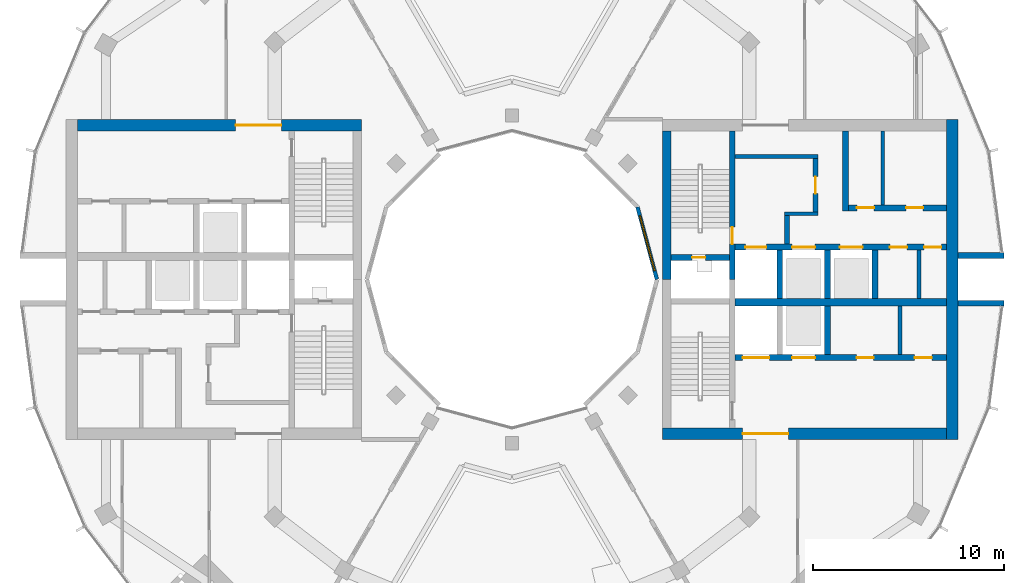
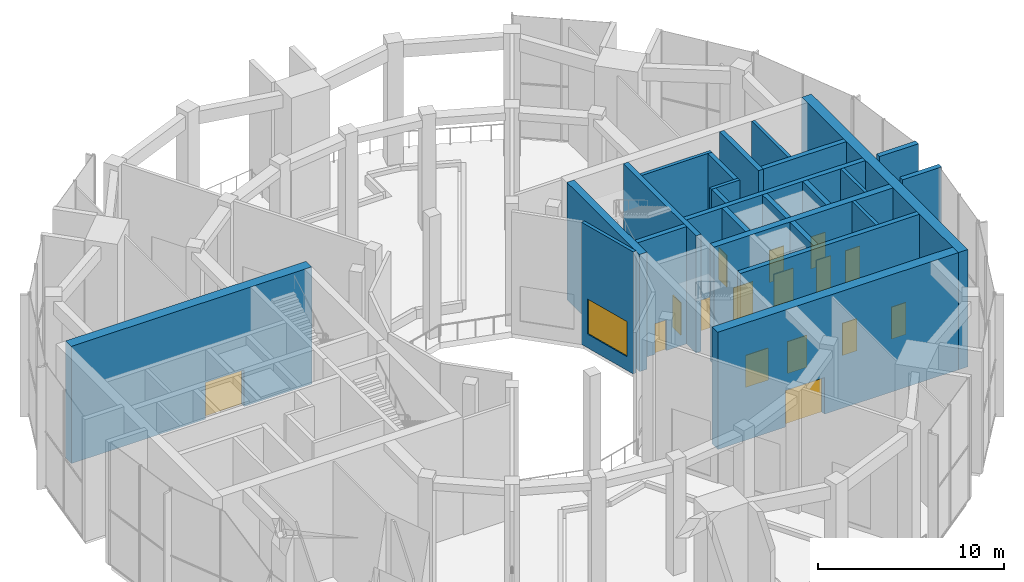
# One storey, part 13 of 18: 25 walls, 16 doors, 1 window, 17 openings.
"""IFC4 building model written with IfcOpenShell, lengths in metres."""

from ifc_helpers import new_model, si_unit, direction, frame, frame_2d, origin, place, context, subcontext, project, spatial, rectangle, extrude, material, layer, layer_set, type_object, element, fill, save


model = new_model("IFC4")

# Units and contexts
model_context = context("Model", 3, precision=1e-05, world=origin(), true_north=direction((0.0, 1.0)))
body_context = subcontext(model_context, "Body", "Model", "MODEL_VIEW")
ifc_project = project(units=[si_unit("LENGTHUNIT", "METRE"), si_unit("AREAUNIT", "SQUARE_METRE"), si_unit("VOLUMEUNIT", "CUBIC_METRE"), si_unit("PLANEANGLEUNIT", "RADIAN"), si_unit("MASSUNIT", "GRAM", prefix="KILO")], contexts=[model_context])

# Site, building, storey
site_placement = place(None, origin())
site = spatial("IfcSite", under=ifc_project, at=site_placement, CompositionType="ELEMENT")
building_placement = place(site_placement, origin())
building = spatial("IfcBuilding", under=site, at=building_placement, Name="Torre Brocal", CompositionType="ELEMENT")
storey_placement = place(building_placement, frame((0.0, 0.0, 229.300048828125)))
storey = spatial("IfcBuildingStorey", under=building, at=storey_placement, Name="L53", CompositionType="ELEMENT", Elevation=229.300048828125)

# Walls
ifc_material_1 = material(Name="Masonry block", Category="masonry")
ifc_layer_1 = layer(ifc_material_1, 0.199951171875)
ifc_layer_set_1 = layer_set([ifc_layer_1], Name="Masonry block")
wall_type_1 = type_object("IfcWallType", Name="CORE PARTITION 200", PredefinedType="PARTITIONING", material=ifc_layer_set_1)
for number, where, z_axis, x_axis, name in (
    (1, (101.360107421875, 74.0, 0.0), (0.0, 0.0, 1.0), (0.0, 1.0, 0.0), "Wall CP200"),
    (2, (100.360107421875, 71.050048828125, 0.0), (0.0, 0.0, 1.0), (0.0, 1.0, 0.0), "Wall CP200"),
):
    element("IfcWall", number, at=place(storey_placement, frame(where, z_axis=z_axis, x_axis=x_axis)), inside=storey, type_object=wall_type_1, Name=name, PredefinedType="PARTITIONING", context=body_context, shape_type="SweptSolid", body=[
        extrude(rectangle(XDim=2.550048828125, YDim=0.199951171875, at=frame_2d((1.27490234375, 0.0))), origin(), (0.0, 0.0, 1.0), 7.679931640625),
    ])
wall_1_placement = place(storey_placement, frame((99.452392578125, 78.89990234375, 0.0), z_axis=(0.0, 0.0, 1.0), x_axis=(0.0, 1.0, 0.0)))
element("IfcWall", 3, at=wall_1_placement, inside=storey, type_object=wall_type_1, Name="Wall CP200", PredefinedType="PARTITIONING", context=body_context, shape_type="SweptSolid", body=[
    extrude(rectangle(XDim=3.900146484375, YDim=0.199951171875, at=frame_2d((1.9501953125, 0.0))), origin(), (0.0, 0.0, 1.0), 7.679931640625),
])
ifc_material_2 = material(Name="Concrete C60", Category="concrete")
ifc_layer_2 = layer(ifc_material_2, 0.199951171875)
ifc_layer_set_2 = layer_set([ifc_layer_2], Name="Concrete C60")
wall_type_2 = type_object("IfcWallType", Name="CORE WALL 200 C60", PredefinedType="SHEAR", material=ifc_layer_set_2)
wall_2_placement = place(storey_placement, frame((91.699951171875, 81.449951171875, 0.0), z_axis=(0.0, 0.0, 1.0), x_axis=(1.0, 0.0, 0.0)))
element("IfcWall", 4, at=wall_2_placement, inside=storey, type_object=wall_type_2, Name="Wall CW200-60", PredefinedType="SHEAR", context=body_context, shape_type="SweptSolid", body=[
    extrude(rectangle(XDim=4.35009765625, YDim=0.199951171875, at=frame_2d((2.175048828125, 0.0))), origin(), (0.0, 0.0, 1.0), 7.679931640625),
])
wall_3_placement = place(storey_placement, frame((94.300048828125, 78.449951171875, 0.0), z_axis=(0.0, 0.0, 1.0), x_axis=(1.0, 0.0, 0.0)))
element("IfcWall", 5, at=wall_3_placement, inside=storey, type_object=wall_type_2, Name="Wall CW200-60", PredefinedType="SHEAR", context=body_context, shape_type="SweptSolid", body=[
    extrude(rectangle(XDim=1.75, YDim=0.199951171875, at=frame_2d((0.875, 0.0))), origin(), (0.0, 0.0, 1.0), 7.679931640625),
])

# Wall, opening, door
ifc_material_3 = material(Name="Concrete C60", Category="concrete")
ifc_layer_3 = layer(ifc_material_3, 0.25)
ifc_layer_set_3 = layer_set([ifc_layer_3], Name="Concrete C60")
wall_type_3 = type_object("IfcWallType", Name="CORE WALL 250 C60", PredefinedType="SHEAR", material=ifc_layer_set_3)
wall_4_placement = place(storey_placement, frame((95.925048828125, 78.550048828125, 0.0), z_axis=(0.0, 0.0, 1.0), x_axis=(0.0, 1.0, 0.0)))
wall_4 = element("IfcWall", 6, at=wall_4_placement, inside=storey, type_object=wall_type_3, Name="Wall CW250-60", PredefinedType="SHEAR", context=body_context, shape_type="SweptSolid", body=[
    extrude(rectangle(XDim=2.800048828125, YDim=0.25, at=frame_2d((1.39990234375, 0.0))), origin(), (0.0, 0.0, 1.0), 7.679931640625),
])
opening_1_placement = place(wall_4_placement, frame((0.949951171875, 0.0, 0.0)))
opening_1 = element("IfcOpeningElement", 7, at=opening_1_placement, cuts=wall_4, Name="Opening E-D08", PredefinedType="OPENING", context=body_context, shape_type="SweptSolid", body=[
    extrude(rectangle(XDim=0.89990234375, YDim=2.10009765625, at=frame_2d((0.449951171875, 1.050048828125))), frame((0.0, 0.135009765625, 0.0), z_axis=(0.0, -1.0, 0.0), x_axis=(1.0, 0.0, 0.0)), (0.0, 0.0, 1.0), 0.27001953125),
])
ifc_material_4 = material(Name="Steel A653", Category="steel")
door_type_1 = type_object("IfcDoorType", Name="LOBBY DOOR FD120 900X2100", OperationType="SINGLE_SWING_RIGHT", PredefinedType="DOOR", material=ifc_material_4)
door_1_placement = place(opening_1_placement, origin())
door_1 = element("IfcDoor", 8, at=door_1_placement, inside=storey, type_object=door_type_1, Name="Door E-D08", OperationType="SINGLE_SWING_LEFT", OverallHeight=2.10009765625, OverallWidth=0.89990234375, PredefinedType="DOOR", context=body_context, shape_type="SweptSolid", body=[
    extrude(rectangle(XDim=0.89990234375, YDim=2.10009765625, at=frame_2d((0.449951171875, 1.050048828125))), frame((0.0, 0.02490234375, 0.0), z_axis=(0.0, -1.0, 0.0), x_axis=(1.0, 0.0, 0.0)), (0.0, 0.0, 1.0), 0.050048828125),
])
fill(opening_1, door_1)

# Wall
wall_5_placement = place(storey_placement, frame((94.425048828125, 76.85009765625, 0.0), z_axis=(0.0, 0.0, 1.0), x_axis=(0.0, 1.0, 0.0)))
element("IfcWall", 9, at=wall_5_placement, inside=storey, type_object=wall_type_3, Name="Wall CW250-60", PredefinedType="SHEAR", context=body_context, shape_type="SweptSolid", body=[
    extrude(rectangle(XDim=1.5, YDim=0.25, at=frame_2d((0.75, 0.0))), origin(), (0.0, 0.0, 1.0), 7.679931640625),
])

# Wall, opening, door
ifc_material_5 = material(Name="Concrete C60", Category="concrete")
ifc_layer_4 = layer(ifc_material_5, 0.300048828125)
ifc_layer_set_4 = layer_set([ifc_layer_4], Name="Concrete C60")
wall_type_4 = type_object("IfcWallType", Name="CORE WALL 300 C60", PredefinedType="SHEAR", material=ifc_layer_set_4)
wall_6_placement = place(storey_placement, frame((91.550048828125, 75.0, 0.0), z_axis=(0.0, 0.0, 1.0), x_axis=(0.0, 1.0, 0.0)))
wall_6 = element("IfcWall", 10, at=wall_6_placement, inside=storey, type_object=wall_type_4, Name="Wall CW300-60", PredefinedType="SHEAR", context=body_context, shape_type="SweptSolid", body=[
    extrude(rectangle(XDim=7.800048828125, YDim=0.300048828125, at=frame_2d((3.89990234375, 0.0))), origin(), (0.0, 0.0, 1.0), 7.679931640625),
])
opening_2_placement = place(wall_6_placement, frame((1.85009765625, 0.0, 0.0)))
opening_2 = element("IfcOpeningElement", 11, at=opening_2_placement, cuts=wall_6, Name="Opening E-D02", PredefinedType="OPENING", context=body_context, shape_type="SweptSolid", body=[
    extrude(rectangle(XDim=0.89990234375, YDim=2.10009765625, at=frame_2d((0.449951171875, 1.050048828125))), frame((0.0, 0.159912109375, 0.0), z_axis=(0.0, -1.0, 0.0), x_axis=(1.0, 0.0, 0.0)), (0.0, 0.0, 1.0), 0.320068359375),
])
ifc_material_6 = material(Name="Steel A653", Category="steel")
door_type_2 = type_object("IfcDoorType", Name="STAIR DOOR FD120 900X2100", OperationType="SINGLE_SWING_RIGHT", PredefinedType="DOOR", material=ifc_material_6)
door_2_placement = place(opening_2_placement, origin())
door_2 = element("IfcDoor", 12, at=door_2_placement, inside=storey, type_object=door_type_2, Name="Door E-D02", OperationType="SINGLE_SWING_LEFT", OverallHeight=2.10009765625, OverallWidth=0.89990234375, PredefinedType="DOOR", context=body_context, shape_type="SweptSolid", body=[
    extrude(rectangle(XDim=0.89990234375, YDim=2.10009765625, at=frame_2d((0.449951171875, 1.050048828125))), frame((0.0, 0.02490234375, 0.0), z_axis=(0.0, -1.0, 0.0), x_axis=(1.0, 0.0, 0.0)), (0.0, 0.0, 1.0), 0.050048828125),
])
fill(opening_2, door_2)

wall_7_placement = place(storey_placement, frame((88.35009765625, 76.14990234375, 0.0), z_axis=(0.0, 0.0, 1.0), x_axis=(1.0, 0.0, 0.0)))
wall_7 = element("IfcWall", 13, at=wall_7_placement, inside=storey, type_object=wall_type_4, Name="Wall CW300-60", PredefinedType="SHEAR", context=body_context, shape_type="SweptSolid", body=[
    extrude(rectangle(XDim=3.0498046875, YDim=0.300048828125, at=frame_2d((1.52490234375, 0.0))), origin(), (0.0, 0.0, 1.0), 7.679931640625),
])
opening_3_placement = place(wall_7_placement, frame((1.10009765625, 0.0, 0.0)))
opening_3 = element("IfcOpeningElement", 14, at=opening_3_placement, cuts=wall_7, Name="Opening E-D01", PredefinedType="OPENING", context=body_context, shape_type="SweptSolid", body=[
    extrude(rectangle(XDim=0.699951171875, YDim=2.0, at=frame_2d((0.35009765625, 1.0))), frame((0.0, 0.159912109375, 0.0), z_axis=(0.0, -1.0, 0.0), x_axis=(1.0, 0.0, 0.0)), (0.0, 0.0, 1.0), 0.320068359375),
])
ifc_material_7 = material(Name="Steel A653", Category="steel")
door_type_3 = type_object("IfcDoorType", Name="RISER DOOR FD120 700X2000", OperationType="SINGLE_SWING_LEFT", PredefinedType="DOOR", material=ifc_material_7)
door_3_placement = place(opening_3_placement, frame((0.699951171875, 0.0, 0.0), z_axis=(0.0, 0.0, 1.0), x_axis=(-1.0, 0.0, 0.0)))
door_3 = element("IfcDoor", 15, at=door_3_placement, inside=storey, type_object=door_type_3, Name="Door E-D01", OperationType="SINGLE_SWING_RIGHT", OverallHeight=2.0, OverallWidth=0.699951171875, PredefinedType="DOOR", context=body_context, shape_type="SweptSolid", body=[
    extrude(rectangle(XDim=0.699951171875, YDim=2.0, at=frame_2d((0.35009765625, 1.0))), frame((0.0, 0.02490234375, 0.0), z_axis=(0.0, -1.0, 0.0), x_axis=(1.0, 0.0, 0.0)), (0.0, 0.0, 1.0), 0.050048828125),
])
fill(opening_3, door_3)

# Wall, openings, doors
wall_8_placement = place(storey_placement, frame((91.699951171875, 76.699951171875, 0.0), z_axis=(0.0, 0.0, 1.0), x_axis=(1.0, 0.0, 0.0)))
wall_8 = element("IfcWall", 16, at=wall_8_placement, inside=storey, type_object=wall_type_4, Name="Wall CW300-60", PredefinedType="SHEAR", context=body_context, shape_type="SweptSolid", body=[
    extrude(rectangle(XDim=11.10009765625, YDim=0.300048828125, at=frame_2d((5.550048828125, 0.0))), origin(), (0.0, 0.0, 1.0), 7.679931640625),
])
opening_4_placement = place(wall_8_placement, frame((0.550048828125, 0.0, 0.0)))
opening_4 = element("IfcOpeningElement", 17, at=opening_4_placement, cuts=wall_8, Name="Opening LD", PredefinedType="OPENING", context=body_context, shape_type="SweptSolid", body=[
    extrude(rectangle(XDim=1.10009765625, YDim=2.10009765625, at=frame_2d((0.550048828125, 1.050048828125))), frame((0.0, 0.159912109375, 0.0), z_axis=(0.0, -1.0, 0.0), x_axis=(1.0, 0.0, 0.0)), (0.0, 0.0, 1.0), 0.320068359375),
])
opening_5_placement = place(wall_8_placement, frame((3.0, 0.0, 0.0)))
opening_5 = element("IfcOpeningElement", 18, at=opening_5_placement, cuts=wall_8, Name="Opening LD12", PredefinedType="OPENING", context=body_context, shape_type="SweptSolid", body=[
    extrude(rectangle(XDim=1.199951171875, YDim=2.10009765625, at=frame_2d((0.60009765625, 1.050048828125))), frame((0.0, 0.159912109375, 0.0), z_axis=(0.0, -1.0, 0.0), x_axis=(1.0, 0.0, 0.0)), (0.0, 0.0, 1.0), 0.320068359375),
])
opening_6_placement = place(wall_8_placement, frame((5.5, 0.0, 0.0)))
opening_6 = element("IfcOpeningElement", 19, at=opening_6_placement, cuts=wall_8, Name="Opening LD12", PredefinedType="OPENING", context=body_context, shape_type="SweptSolid", body=[
    extrude(rectangle(XDim=1.199951171875, YDim=2.10009765625, at=frame_2d((0.60009765625, 1.050048828125))), frame((0.0, 0.159912109375, 0.0), z_axis=(0.0, -1.0, 0.0), x_axis=(1.0, 0.0, 0.0)), (0.0, 0.0, 1.0), 0.320068359375),
])
opening_7_placement = place(wall_8_placement, frame((8.1298828125, 0.0, 0.0)))
opening_7 = element("IfcOpeningElement", 20, at=opening_7_placement, cuts=wall_8, Name="Opening E-D04", PredefinedType="OPENING", context=body_context, shape_type="SweptSolid", body=[
    extrude(rectangle(XDim=0.89990234375, YDim=2.10009765625, at=frame_2d((0.449951171875, 1.050048828125))), frame((0.0, 0.159912109375, 0.0), z_axis=(0.0, -1.0, 0.0), x_axis=(1.0, 0.0, 0.0)), (0.0, 0.0, 1.0), 0.320068359375),
])
opening_8_placement = place(wall_8_placement, frame((9.929931640625, 0.0, 0.0)))
opening_8 = element("IfcOpeningElement", 21, at=opening_8_placement, cuts=wall_8, Name="Opening E-D05", PredefinedType="OPENING", context=body_context, shape_type="SweptSolid", body=[
    extrude(rectangle(XDim=0.89990234375, YDim=2.10009765625, at=frame_2d((0.449951171875, 1.050048828125))), frame((0.0, 0.159912109375, 0.0), z_axis=(0.0, -1.0, 0.0), x_axis=(1.0, 0.0, 0.0)), (0.0, 0.0, 1.0), 0.320068359375),
])
ifc_material_8 = material(Name="Stainless steel AISI 316", Category="steel")
door_type_4 = type_object("IfcDoorType", Name="LIFT LANDING DOOR 1100X2100", OperationType="DOUBLE_DOOR_SLIDING", PredefinedType="DOOR", material=ifc_material_8)
door_4_placement = place(opening_4_placement, origin())
door_4 = element("IfcDoor", 22, at=door_4_placement, inside=storey, type_object=door_type_4, Name="Door LD", OperationType="DOUBLE_DOOR_SLIDING", OverallHeight=2.10009765625, OverallWidth=1.10009765625, PredefinedType="DOOR", context=body_context, shape_type="SweptSolid", body=[
    extrude(rectangle(XDim=1.10009765625, YDim=2.10009765625, at=frame_2d((0.550048828125, 1.050048828125))), frame((0.0, 0.02490234375, 0.0), z_axis=(0.0, -1.0, 0.0), x_axis=(1.0, 0.0, 0.0)), (0.0, 0.0, 1.0), 0.050048828125),
])
fill(opening_4, door_4)
ifc_material_9 = material(Name="Stainless steel AISI 316", Category="steel")
door_type_5 = type_object("IfcDoorType", Name="LIFT LANDING DOOR 1200X2100", OperationType="DOUBLE_DOOR_SLIDING", PredefinedType="DOOR", material=ifc_material_9)
door_5_placement = place(opening_5_placement, origin())
door_5 = element("IfcDoor", 23, at=door_5_placement, inside=storey, type_object=door_type_5, Name="Door LD12", OperationType="DOUBLE_DOOR_SLIDING", OverallHeight=2.10009765625, OverallWidth=1.199951171875, PredefinedType="DOOR", context=body_context, shape_type="SweptSolid", body=[
    extrude(rectangle(XDim=1.199951171875, YDim=2.10009765625, at=frame_2d((0.60009765625, 1.050048828125))), frame((0.0, 0.02490234375, 0.0), z_axis=(0.0, -1.0, 0.0), x_axis=(1.0, 0.0, 0.0)), (0.0, 0.0, 1.0), 0.050048828125),
])
fill(opening_5, door_5)
door_6_placement = place(opening_6_placement, origin())
door_6 = element("IfcDoor", 24, at=door_6_placement, inside=storey, type_object=door_type_5, Name="Door LD12", OperationType="DOUBLE_DOOR_SLIDING", OverallHeight=2.10009765625, OverallWidth=1.199951171875, PredefinedType="DOOR", context=body_context, shape_type="SweptSolid", body=[
    extrude(rectangle(XDim=1.199951171875, YDim=2.10009765625, at=frame_2d((0.60009765625, 1.050048828125))), frame((0.0, 0.02490234375, 0.0), z_axis=(0.0, -1.0, 0.0), x_axis=(1.0, 0.0, 0.0)), (0.0, 0.0, 1.0), 0.050048828125),
])
fill(opening_6, door_6)
ifc_material_10 = material(Name="Steel A653", Category="steel")
door_type_6 = type_object("IfcDoorType", Name="ROOM DOOR FD30S 900X2100", OperationType="SINGLE_SWING_LEFT", PredefinedType="DOOR", material=ifc_material_10)
door_7_placement = place(opening_7_placement, frame((0.89990234375, 0.0, 0.0), z_axis=(0.0, 0.0, 1.0), x_axis=(-1.0, 0.0, 0.0)))
door_7 = element("IfcDoor", 25, at=door_7_placement, inside=storey, type_object=door_type_6, Name="Door E-D04", OperationType="SINGLE_SWING_LEFT", OverallHeight=2.10009765625, OverallWidth=0.89990234375, PredefinedType="DOOR", context=body_context, shape_type="SweptSolid", body=[
    extrude(rectangle(XDim=0.89990234375, YDim=2.10009765625, at=frame_2d((0.449951171875, 1.050048828125))), frame((0.0, 0.02490234375, 0.0), z_axis=(0.0, -1.0, 0.0), x_axis=(1.0, 0.0, 0.0)), (0.0, 0.0, 1.0), 0.050048828125),
])
fill(opening_7, door_7)
door_8_placement = place(opening_8_placement, frame((0.89990234375, 0.0, 0.0), z_axis=(0.0, 0.0, 1.0), x_axis=(-1.0, 0.0, 0.0)))
door_8 = element("IfcDoor", 26, at=door_8_placement, inside=storey, type_object=door_type_6, Name="Door E-D05", OperationType="SINGLE_SWING_RIGHT", OverallHeight=2.10009765625, OverallWidth=0.89990234375, PredefinedType="DOOR", context=body_context, shape_type="SweptSolid", body=[
    extrude(rectangle(XDim=0.89990234375, YDim=2.10009765625, at=frame_2d((0.449951171875, 1.050048828125))), frame((0.0, 0.02490234375, 0.0), z_axis=(0.0, -1.0, 0.0), x_axis=(1.0, 0.0, 0.0)), (0.0, 0.0, 1.0), 0.050048828125),
])
fill(opening_8, door_8)

wall_9_placement = place(storey_placement, frame((91.699951171875, 70.89990234375, 0.0), z_axis=(0.0, 0.0, 1.0), x_axis=(1.0, 0.0, 0.0)))
wall_9 = element("IfcWall", 27, at=wall_9_placement, inside=storey, type_object=wall_type_4, Name="Wall CW300-60", PredefinedType="SHEAR", context=body_context, shape_type="SweptSolid", body=[
    extrude(rectangle(XDim=11.10009765625, YDim=0.300048828125, at=frame_2d((5.550048828125, 0.0))), origin(), (0.0, 0.0, 1.0), 7.679931640625),
])
opening_9_placement = place(wall_9_placement, frame((0.39990234375, 0.0, 0.0)))
opening_9 = element("IfcOpeningElement", 28, at=opening_9_placement, cuts=wall_9, Name="Opening LD14", PredefinedType="OPENING", context=body_context, shape_type="SweptSolid", body=[
    extrude(rectangle(XDim=1.39990234375, YDim=2.10009765625, at=frame_2d((0.699951171875, 1.050048828125))), frame((0.0, 0.159912109375, 0.0), z_axis=(0.0, -1.0, 0.0), x_axis=(1.0, 0.0, 0.0)), (0.0, 0.0, 1.0), 0.320068359375),
])
opening_10_placement = place(wall_9_placement, frame((3.0, 0.0, 0.0)))
opening_10 = element("IfcOpeningElement", 29, at=opening_10_placement, cuts=wall_9, Name="Opening LD12", PredefinedType="OPENING", context=body_context, shape_type="SweptSolid", body=[
    extrude(rectangle(XDim=1.199951171875, YDim=2.10009765625, at=frame_2d((0.60009765625, 1.050048828125))), frame((0.0, 0.159912109375, 0.0), z_axis=(0.0, -1.0, 0.0), x_axis=(1.0, 0.0, 0.0)), (0.0, 0.0, 1.0), 0.320068359375),
])
opening_11_placement = place(wall_9_placement, frame((6.3798828125, 0.0, 0.0)))
opening_11 = element("IfcOpeningElement", 30, at=opening_11_placement, cuts=wall_9, Name="Opening E-D06", PredefinedType="OPENING", context=body_context, shape_type="SweptSolid", body=[
    extrude(rectangle(XDim=0.89990234375, YDim=2.10009765625, at=frame_2d((0.449951171875, 1.050048828125))), frame((0.0, 0.159912109375, 0.0), z_axis=(0.0, -1.0, 0.0), x_axis=(1.0, 0.0, 0.0)), (0.0, 0.0, 1.0), 0.320068359375),
])
opening_12_placement = place(wall_9_placement, frame((9.429931640625, 0.0, 0.0)))
opening_12 = element("IfcOpeningElement", 31, at=opening_12_placement, cuts=wall_9, Name="Opening E-D07", PredefinedType="OPENING", context=body_context, shape_type="SweptSolid", body=[
    extrude(rectangle(XDim=0.89990234375, YDim=2.10009765625, at=frame_2d((0.449951171875, 1.050048828125))), frame((0.0, 0.159912109375, 0.0), z_axis=(0.0, -1.0, 0.0), x_axis=(1.0, 0.0, 0.0)), (0.0, 0.0, 1.0), 0.320068359375),
])
door_9_placement = place(opening_10_placement, origin())
door_9 = element("IfcDoor", 32, at=door_9_placement, inside=storey, type_object=door_type_5, Name="Door LD12", OperationType="DOUBLE_DOOR_SLIDING", OverallHeight=2.10009765625, OverallWidth=1.199951171875, PredefinedType="DOOR", context=body_context, shape_type="SweptSolid", body=[
    extrude(rectangle(XDim=1.199951171875, YDim=2.10009765625, at=frame_2d((0.60009765625, 1.050048828125))), frame((0.0, 0.02490234375, 0.0), z_axis=(0.0, -1.0, 0.0), x_axis=(1.0, 0.0, 0.0)), (0.0, 0.0, 1.0), 0.050048828125),
])
fill(opening_10, door_9)
ifc_material_11 = material(Name="Stainless steel AISI 316", Category="steel")
door_type_7 = type_object("IfcDoorType", Name="LIFT LANDING DOOR 1400X2100", OperationType="DOUBLE_DOOR_SLIDING", PredefinedType="DOOR", material=ifc_material_11)
door_10_placement = place(opening_9_placement, origin())
door_10 = element("IfcDoor", 33, at=door_10_placement, inside=storey, type_object=door_type_7, Name="Door LD14", OperationType="DOUBLE_DOOR_SLIDING", OverallHeight=2.10009765625, OverallWidth=1.39990234375, PredefinedType="DOOR", context=body_context, shape_type="SweptSolid", body=[
    extrude(rectangle(XDim=1.39990234375, YDim=2.10009765625, at=frame_2d((0.699951171875, 1.050048828125))), frame((0.0, 0.02490234375, 0.0), z_axis=(0.0, -1.0, 0.0), x_axis=(1.0, 0.0, 0.0)), (0.0, 0.0, 1.0), 0.050048828125),
])
fill(opening_9, door_10)
door_11_placement = place(opening_11_placement, origin())
door_11 = element("IfcDoor", 34, at=door_11_placement, inside=storey, type_object=door_type_6, Name="Door E-D06", OperationType="SINGLE_SWING_RIGHT", OverallHeight=2.10009765625, OverallWidth=0.89990234375, PredefinedType="DOOR", context=body_context, shape_type="SweptSolid", body=[
    extrude(rectangle(XDim=0.89990234375, YDim=2.10009765625, at=frame_2d((0.449951171875, 1.050048828125))), frame((0.0, 0.02490234375, 0.0), z_axis=(0.0, -1.0, 0.0), x_axis=(1.0, 0.0, 0.0)), (0.0, 0.0, 1.0), 0.050048828125),
])
fill(opening_11, door_11)
door_12_placement = place(opening_12_placement, origin())
door_12 = element("IfcDoor", 35, at=door_12_placement, inside=storey, type_object=door_type_6, Name="Door E-D07", OperationType="SINGLE_SWING_LEFT", OverallHeight=2.10009765625, OverallWidth=0.89990234375, PredefinedType="DOOR", context=body_context, shape_type="SweptSolid", body=[
    extrude(rectangle(XDim=0.89990234375, YDim=2.10009765625, at=frame_2d((0.449951171875, 1.050048828125))), frame((0.0, 0.02490234375, 0.0), z_axis=(0.0, -1.0, 0.0), x_axis=(1.0, 0.0, 0.0)), (0.0, 0.0, 1.0), 0.050048828125),
])
fill(opening_12, door_12)

# Walls
for number, where, z_axis, x_axis, name in (
    (36, (94.050048828125, 74.0, 0.0), (0.0, 0.0, 1.0), (0.0, 1.0, 0.0), "Wall CW300-60"),
    (37, (96.550048828125, 74.0, 0.0), (0.0, 0.0, 1.0), (0.0, 1.0, 0.0), "Wall CW300-60"),
    (38, (99.050048828125, 74.0, 0.0), (0.0, 0.0, 1.0), (0.0, 1.0, 0.0), "Wall CW300-60"),
    (39, (96.550048828125, 71.050048828125, 0.0), (0.0, 0.0, 1.0), (0.0, 1.0, 0.0), "Wall CW300-60"),
):
    element("IfcWall", number, at=place(storey_placement, frame(where, z_axis=z_axis, x_axis=x_axis)), inside=storey, type_object=wall_type_4, Name=name, PredefinedType="SHEAR", context=body_context, shape_type="SweptSolid", body=[
        extrude(rectangle(XDim=2.550048828125, YDim=0.300048828125, at=frame_2d((1.27490234375, 0.0))), origin(), (0.0, 0.0, 1.0), 7.679931640625),
    ])
wall_10_placement = place(storey_placement, frame((97.5, 78.60009765625, 0.0), z_axis=(0.0, 0.0, 1.0), x_axis=(0.0, 1.0, 0.0)))
element("IfcWall", 40, at=wall_10_placement, inside=storey, type_object=wall_type_4, Name="Wall CW300-60", PredefinedType="SHEAR", context=body_context, shape_type="SweptSolid", body=[
    extrude(rectangle(XDim=4.199951171875, YDim=0.300048828125, at=frame_2d((2.10009765625, 0.0))), origin(), (0.0, 0.0, 1.0), 7.679931640625),
])

# Wall, openings, doors
wall_11_placement = place(storey_placement, frame((97.64990234375, 78.75, 0.0), z_axis=(0.0, 0.0, 1.0), x_axis=(1.0, 0.0, 0.0)))
wall_11 = element("IfcWall", 41, at=wall_11_placement, inside=storey, type_object=wall_type_4, Name="Wall CW300-60", PredefinedType="SHEAR", context=body_context, shape_type="SweptSolid", body=[
    extrude(rectangle(XDim=5.150146484375, YDim=0.300048828125, at=frame_2d((2.5751953125, 0.0))), origin(), (0.0, 0.0, 1.0), 7.679931640625),
])
opening_13_placement = place(wall_11_placement, frame((0.451171875, 0.0, 0.0)))
opening_13 = element("IfcOpeningElement", 42, at=opening_13_placement, cuts=wall_11, Name="Opening E-D09", PredefinedType="OPENING", context=body_context, shape_type="SweptSolid", body=[
    extrude(rectangle(XDim=0.89990234375, YDim=2.10009765625, at=frame_2d((0.449951171875, 1.050048828125))), frame((0.0, 0.159912109375, 0.0), z_axis=(0.0, -1.0, 0.0), x_axis=(1.0, 0.0, 0.0)), (0.0, 0.0, 1.0), 0.320068359375),
])
opening_14_placement = place(wall_11_placement, frame((3.026123046875, 0.0, 0.0)))
opening_14 = element("IfcOpeningElement", 43, at=opening_14_placement, cuts=wall_11, Name="Opening E-D10", PredefinedType="OPENING", context=body_context, shape_type="SweptSolid", body=[
    extrude(rectangle(XDim=0.89990234375, YDim=2.10009765625, at=frame_2d((0.449951171875, 1.050048828125))), frame((0.0, 0.159912109375, 0.0), z_axis=(0.0, -1.0, 0.0), x_axis=(1.0, 0.0, 0.0)), (0.0, 0.0, 1.0), 0.320068359375),
])
door_13_placement = place(opening_13_placement, origin())
door_13 = element("IfcDoor", 44, at=door_13_placement, inside=storey, type_object=door_type_6, Name="Door E-D09", OperationType="SINGLE_SWING_RIGHT", OverallHeight=2.10009765625, OverallWidth=0.89990234375, PredefinedType="DOOR", context=body_context, shape_type="SweptSolid", body=[
    extrude(rectangle(XDim=0.89990234375, YDim=2.10009765625, at=frame_2d((0.449951171875, 1.050048828125))), frame((0.0, 0.02490234375, 0.0), z_axis=(0.0, -1.0, 0.0), x_axis=(1.0, 0.0, 0.0)), (0.0, 0.0, 1.0), 0.050048828125),
])
fill(opening_13, door_13)
door_14_placement = place(opening_14_placement, origin())
door_14 = element("IfcDoor", 45, at=door_14_placement, inside=storey, type_object=door_type_6, Name="Door E-D10", OperationType="SINGLE_SWING_LEFT", OverallHeight=2.10009765625, OverallWidth=0.89990234375, PredefinedType="DOOR", context=body_context, shape_type="SweptSolid", body=[
    extrude(rectangle(XDim=0.89990234375, YDim=2.10009765625, at=frame_2d((0.449951171875, 1.050048828125))), frame((0.0, 0.02490234375, 0.0), z_axis=(0.0, -1.0, 0.0), x_axis=(1.0, 0.0, 0.0)), (0.0, 0.0, 1.0), 0.050048828125),
])
fill(opening_14, door_14)

# Walls
ifc_material_12 = material(Name="Concrete C60", Category="concrete")
ifc_layer_5 = layer(ifc_material_12, 0.39990234375)
ifc_layer_set_5 = layer_set([ifc_layer_5], Name="Concrete C60")
wall_type_5 = type_object("IfcWallType", Name="CORE WALL 400 C60", PredefinedType="SHEAR", material=ifc_layer_set_5)
wall_12_placement = place(storey_placement, frame((91.699951171875, 73.800048828125, 0.0), z_axis=(0.0, 0.0, 1.0), x_axis=(1.0, 0.0, 0.0)))
element("IfcWall", 46, at=wall_12_placement, inside=storey, type_object=wall_type_5, Name="Wall CW400-60", PredefinedType="SHEAR", context=body_context, shape_type="SweptSolid", body=[
    extrude(rectangle(XDim=11.10009765625, YDim=0.39990234375, at=frame_2d((5.550048828125, 0.0))), origin(), (0.0, 0.0, 1.0), 7.679931640625),
])
ifc_material_13 = material(Name="Concrete C60", Category="concrete")
ifc_layer_6 = layer(ifc_material_13, 0.449951171875)
ifc_layer_set_6 = layer_set([ifc_layer_6], Name="Concrete C60")
wall_type_6 = type_object("IfcWallType", Name="CORE WALL 450 C60", PredefinedType="SHEAR", material=ifc_layer_set_6)
wall_13_placement = place(storey_placement, frame((88.125, 75.0, 0.0), z_axis=(0.0, 0.0, 1.0), x_axis=(0.0, 1.0, 0.0)))
element("IfcWall", 47, at=wall_13_placement, inside=storey, type_object=wall_type_6, Name="Wall CW450-60", PredefinedType="SHEAR", context=body_context, shape_type="SweptSolid", body=[
    extrude(rectangle(XDim=7.800048828125, YDim=0.449951171875, at=frame_2d((3.89990234375, 0.0))), origin(), (0.0, 0.0, 1.0), 7.679931640625),
])

# Wall, opening, door
ifc_material_14 = material(Name="Concrete C60", Category="concrete")
ifc_layer_7 = layer(ifc_material_14, 0.60009765625)
ifc_layer_set_7 = layer_set([ifc_layer_7], Name="Concrete C60")
wall_type_7 = type_object("IfcWallType", Name="CORE WALL 600 C60", PredefinedType="SHEAR", material=ifc_layer_set_7)
wall_14_placement = place(storey_placement, frame((87.89990234375, 66.89990234375, 0.0), z_axis=(0.0, 0.0, 1.0), x_axis=(1.0, 0.0, 0.0)))
wall_14 = element("IfcWall", 48, at=wall_14_placement, inside=storey, type_object=wall_type_7, Name="Wall CW600-60", PredefinedType="SHEAR", context=body_context, shape_type="SweptSolid", body=[
    extrude(rectangle(XDim=14.900146484375, YDim=0.60009765625, at=frame_2d((7.4501953125, 0.0))), origin(), (0.0, 0.0, 1.0), 7.679931640625),
])
opening_15_placement = place(wall_14_placement, frame((4.199951171875, 0.0, 0.0)))
opening_15 = element("IfcOpeningElement", 49, at=opening_15_placement, cuts=wall_14, Name="Opening E-D12", PredefinedType="OPENING", context=body_context, shape_type="SweptSolid", body=[
    extrude(rectangle(XDim=2.39990234375, YDim=2.39990234375, at=frame_2d((1.199951171875, 1.199951171875))), frame((0.0, 0.31005859375, 0.0), z_axis=(0.0, -1.0, 0.0), x_axis=(1.0, 0.0, 0.0)), (0.0, 0.0, 1.0), 0.6201171875),
])
ifc_material_15 = material(Name="Steel A653", Category="steel")
door_type_8 = type_object("IfcDoorType", Name="DOUBLE FIRE DOOR FD90 2400X2400", OperationType="DOUBLE_DOOR_SINGLE_SWING", PredefinedType="DOOR", material=ifc_material_15)
door_15_placement = place(opening_15_placement, frame((2.39990234375, 0.0, 0.0), z_axis=(0.0, 0.0, 1.0), x_axis=(-1.0, 0.0, 0.0)))
door_15 = element("IfcDoor", 50, at=door_15_placement, inside=storey, type_object=door_type_8, Name="Door E-D12", OperationType="DOUBLE_DOOR_SINGLE_SWING", OverallHeight=2.39990234375, OverallWidth=2.39990234375, PredefinedType="DOOR", context=body_context, shape_type="SweptSolid", body=[
    extrude(rectangle(XDim=2.39990234375, YDim=2.39990234375, at=frame_2d((1.199951171875, 1.199951171875))), frame((0.0, 0.02490234375, 0.0), z_axis=(0.0, -1.0, 0.0), x_axis=(1.0, 0.0, 0.0)), (0.0, 0.0, 1.0), 0.050048828125),
])
fill(opening_15, door_15)

# Wall
wall_15_placement = place(storey_placement, frame((103.10009765625, 66.60009765625, 0.0), z_axis=(0.0, 0.0, 1.0), x_axis=(0.0, 1.0, 0.0)))
element("IfcWall", 51, at=wall_15_placement, inside=storey, type_object=wall_type_7, Name="Wall CW600-60", PredefinedType="SHEAR", context=body_context, shape_type="SweptSolid", body=[
    extrude(rectangle(XDim=16.7998046875, YDim=0.60009765625, at=frame_2d((8.39990234375, 0.0))), origin(), (0.0, 0.0, 1.0), 7.679931640625),
])

# Wall, opening, door
wall_16_placement = place(storey_placement, frame((72.10009765625, 83.10009765625, 0.0), z_axis=(0.0, 0.0, 1.0), x_axis=(-1.0, 0.0, 0.0)))
wall_16 = element("IfcWall", 52, at=wall_16_placement, inside=storey, type_object=wall_type_7, Name="Wall CW600-60", PredefinedType="SHEAR", context=body_context, shape_type="SweptSolid", body=[
    extrude(rectangle(XDim=14.900146484375, YDim=0.60009765625, at=frame_2d((7.4501953125, 0.0))), origin(), (0.0, 0.0, 1.0), 7.679931640625),
])
opening_16_placement = place(wall_16_placement, frame((4.199951171875, 0.0, 0.0)))
opening_16 = element("IfcOpeningElement", 53, at=opening_16_placement, cuts=wall_16, Name="Opening W-D12", PredefinedType="OPENING", context=body_context, shape_type="SweptSolid", body=[
    extrude(rectangle(XDim=2.39990234375, YDim=2.39990234375, at=frame_2d((1.199951171875, 1.199951171875))), frame((0.0, 0.31005859375, 0.0), z_axis=(0.0, -1.0, 0.0), x_axis=(1.0, 0.0, 0.0)), (0.0, 0.0, 1.0), 0.6201171875),
])
door_16_placement = place(opening_16_placement, frame((2.39990234375, 0.0, 0.0), z_axis=(0.0, 0.0, 1.0), x_axis=(-1.0, 0.0, 0.0)))
door_16 = element("IfcDoor", 54, at=door_16_placement, inside=storey, type_object=door_type_8, Name="Door W-D12", OperationType="DOUBLE_DOOR_SINGLE_SWING", OverallHeight=2.39990234375, OverallWidth=2.39990234375, PredefinedType="DOOR", context=body_context, shape_type="SweptSolid", body=[
    extrude(rectangle(XDim=2.39990234375, YDim=2.39990234375, at=frame_2d((1.199951171875, 1.199951171875))), frame((0.0, 0.02490234375, 0.0), z_axis=(0.0, -1.0, 0.0), x_axis=(1.0, 0.0, 0.0)), (0.0, 0.0, 1.0), 0.050048828125),
])
fill(opening_16, door_16)

# Walls
ifc_material_16 = material(Name="Concrete C60", Category="concrete")
ifc_layer_8 = layer(ifc_material_16, 0.300048828125)
ifc_layer_set_8 = layer_set([ifc_layer_8], Name="Concrete C60")
wall_type_8 = type_object("IfcWallType", Name="NOTCH RETURN WALL 300 C60", PredefinedType="NOTDEFINED", material=ifc_layer_set_8)
for number, where, z_axis, x_axis, name in (
    (55, (103.39990234375, 73.75, 0.0), (0.0, 0.0, 1.0), (1.0, 0.0, 0.0), "NOTCH RETURN WALL"),
    (56, (103.39990234375, 76.25, 0.0), (0.0, 0.0, 1.0), (1.0, 0.0, 0.0), "NOTCH RETURN WALL"),
):
    element("IfcWall", number, at=place(storey_placement, frame(where, z_axis=z_axis, x_axis=x_axis)), inside=storey, type_object=wall_type_8, Name=name, PredefinedType="NOTDEFINED", context=body_context, shape_type="SweptSolid", body=[
        extrude(rectangle(XDim=2.415771484375, YDim=0.300048828125, at=frame_2d((1.2080078125, 0.0))), origin(), (0.0, 0.0, 1.0), 8.0),
    ])

# Wall, opening, window
ifc_material_17 = material(Name="Concrete C40", Category="concrete")
ifc_layer_9 = layer(ifc_material_17, 0.199951171875)
ifc_layer_set_9 = layer_set([ifc_layer_9], Name="Concrete C40")
wall_type_9 = type_object("IfcWallType", Name="WELL FACADE WALL 200", PredefinedType="NOTDEFINED", material=ifc_layer_set_9)
wall_17_placement = place(storey_placement, frame((87.603515625, 75.0, 0.0), z_axis=(0.0, 0.0, 1.0), x_axis=(-0.258789828301, 0.965933654434, 0.0)))
wall_17 = element("IfcWall", 57, at=wall_17_placement, inside=storey, type_object=wall_type_9, Name="WELL FACADE WALL", PredefinedType="NOTDEFINED", context=body_context, shape_type="SweptSolid", body=[
    extrude(rectangle(XDim=3.935791015625, YDim=0.199951171875, at=frame_2d((1.9677734375, 0.0))), origin(), (0.0, 0.0, 1.0), 8.0),
])
opening_17_placement = place(wall_17_placement, frame((0.468017578125, 0.0, 0.89990234375)))
opening_17 = element("IfcOpeningElement", 58, at=opening_17_placement, cuts=wall_17, Name="Opening W1", PredefinedType="OPENING", context=body_context, shape_type="SweptSolid", body=[
    extrude(rectangle(XDim=3.0, YDim=2.300048828125, at=frame_2d((1.5, 1.14990234375))), frame((0.0, 0.10986328125, 0.0), z_axis=(0.0, -1.0, 0.0), x_axis=(1.0, 0.0, 0.0)), (0.0, 0.0, 1.0), 0.219970703125),
])
ifc_material_18 = material(Name="Aluminium and glass", Category="aluminium")
window_type = type_object("IfcWindowType", Name="WELL WINDOW 3000X2300", PartitioningType="SINGLE_PANEL", PredefinedType="WINDOW", material=ifc_material_18)
window_placement = place(opening_17_placement, origin())
window = element("IfcWindow", 59, at=window_placement, inside=storey, type_object=window_type, Name="WELL WINDOW 3000X2300", OverallHeight=2.300048828125, OverallWidth=3.0, PartitioningType="SINGLE_PANEL", PredefinedType="WINDOW", context=body_context, shape_type="SweptSolid", body=[
    extrude(rectangle(XDim=3.0, YDim=2.300048828125, at=frame_2d((1.5, 1.14990234375))), frame((0.0, 0.030029296875, 0.0), z_axis=(0.0, -1.0, 0.0), x_axis=(1.0, 0.0, 0.0)), (0.0, 0.0, 1.0), 0.06005859375),
])
fill(opening_17, window)

save(model, "model.ifc")
